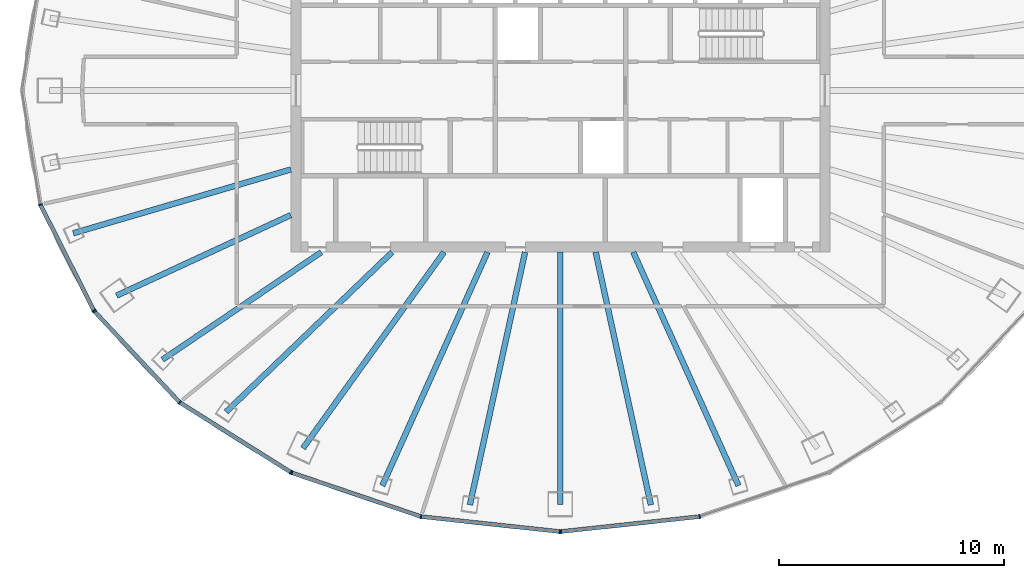
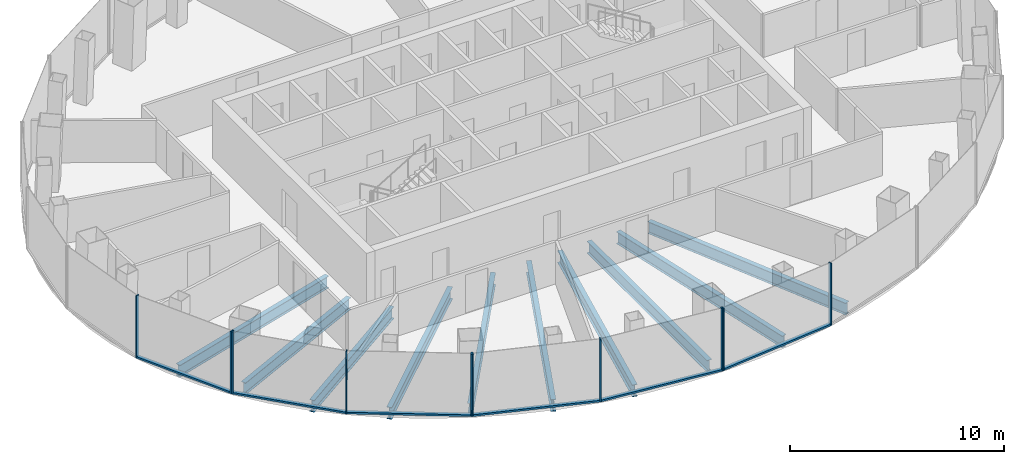
# One storey, part 2 of 10: 16 members, 10 beams, 4 elements without a shape of their own.
"""IFC4 building model written with IfcOpenShell, lengths in metres."""

from ifc_helpers import new_model, si_unit, direction, frame, origin, origin_2d, place, context, subcontext, project, spatial, rectangle, i_section, extrude, material, layer, layer_set, material_profile, profile_set, type_object, element, aggregate, save


model = new_model("IFC4")

# Units and contexts
model_context = context("Model", 3, precision=1e-05, world=origin(), true_north=direction((0.0, 1.0)))
body_context = subcontext(model_context, "Body", "Model", "MODEL_VIEW")
ifc_project = project(units=[si_unit("LENGTHUNIT", "METRE"), si_unit("AREAUNIT", "SQUARE_METRE"), si_unit("VOLUMEUNIT", "CUBIC_METRE"), si_unit("PLANEANGLEUNIT", "RADIAN"), si_unit("MASSUNIT", "GRAM", prefix="KILO")], contexts=[model_context])

# Site, building, storey
site_placement = place(None, origin())
site = spatial("IfcSite", under=ifc_project, at=site_placement, CompositionType="ELEMENT")
building_placement = place(site_placement, origin())
building = spatial("IfcBuilding", under=site, at=building_placement, Name="Siaravel Broadcast Tower", CompositionType="ELEMENT")
storey_placement = place(building_placement, frame((0.0, 0.0, 164.5)))
storey = spatial("IfcBuildingStorey", under=building, at=storey_placement, Name="L39", CompositionType="ELEMENT", Elevation=164.5)

# Beams
ifc_material_1 = material(Name="Steel S355", Category="steel")
ifc_material_profile_1 = material_profile(ifc_material_1, i_section(OverallWidth=0.2529296875, OverallDepth=0.677978515625, WebThickness=0.01171875, FlangeThickness=0.01611328125, FilletRadius=0.01513671875, at=origin_2d()))
ifc_profile_set_1 = profile_set([ifc_material_profile_1], Name="Steel S355")
beam_type = type_object("IfcBeamType", Name="BM-UB 686x254x125", PredefinedType="BEAM", material=ifc_profile_set_1)
beam_1_placement = place(storey_placement, frame((-21.679443359375, -6.3564453125, -0.489013671875), z_axis=(0.959600267, 0.28136689, 0.0), x_axis=(-0.28136689, 0.959600267, 0.0)))
element("IfcBeam", 1, at=beam_1_placement, inside=storey, type_object=beam_type, Name="Radial beam RB21", PredefinedType="BEAM", context=body_context, shape_type="SweptSolid", body=[
    extrude(i_section(OverallWidth=0.2529296875, OverallDepth=0.677978515625, WebThickness=0.01171875, FlangeThickness=0.01611328125, FilletRadius=0.01513671875, at=origin_2d()), origin(), (0.0, 0.0, 1.0), 10.0869140625),
])
beam_2_placement = place(storey_placement, frame((-19.754638671875, -9.1337890625, -0.489013671875), z_axis=(0.907674805, 0.419674218, 0.0), x_axis=(-0.419674218, 0.907674805, 0.0)))
element("IfcBeam", 2, at=beam_2_placement, inside=storey, type_object=beam_type, Name="Radial beam RB22", PredefinedType="BEAM", context=body_context, shape_type="SweptSolid", body=[
    extrude(i_section(OverallWidth=0.2529296875, OverallDepth=0.677978515625, WebThickness=0.01171875, FlangeThickness=0.01611328125, FilletRadius=0.01513671875, at=origin_2d()), origin(), (0.0, 0.0, 1.0), 8.54345703125),
])
beam_3_placement = place(storey_placement, frame((-17.71044921875, -11.984375, -0.489013671875), z_axis=(0.828198305, 0.560435159, 0.0), x_axis=(-0.560435159, 0.828198305, 0.0)))
element("IfcBeam", 3, at=beam_3_placement, inside=storey, type_object=beam_type, Name="Radial beam RB23", PredefinedType="BEAM", context=body_context, shape_type="SweptSolid", body=[
    extrude(i_section(OverallWidth=0.2529296875, OverallDepth=0.677978515625, WebThickness=0.01171875, FlangeThickness=0.01611328125, FilletRadius=0.01513671875, at=origin_2d()), origin(), (0.0, 0.0, 1.0), 8.536865234375),
])
beam_4_placement = place(storey_placement, frame((-14.876708984375, -14.305419921875, -0.489013671875), z_axis=(0.720808352, 0.693134417, 0.0), x_axis=(-0.693134417, 0.720808352, 0.0)))
element("IfcBeam", 4, at=beam_4_placement, inside=storey, type_object=beam_type, Name="Radial beam RB24", PredefinedType="BEAM", context=body_context, shape_type="SweptSolid", body=[
    extrude(i_section(OverallWidth=0.2529296875, OverallDepth=0.677978515625, WebThickness=0.01171875, FlangeThickness=0.01611328125, FilletRadius=0.01513671875, at=origin_2d()), origin(), (0.0, 0.0, 1.0), 10.251220703125),
])
beam_5_placement = place(storey_placement, frame((-11.4541015625, -15.92333984375, -0.489013671875), z_axis=(0.583940769, 0.811796266, 0.0), x_axis=(-0.811796266, 0.583940769, 0.0)))
element("IfcBeam", 5, at=beam_5_placement, inside=storey, type_object=beam_type, Name="Radial beam RB25", PredefinedType="BEAM", context=body_context, shape_type="SweptSolid", body=[
    extrude(i_section(OverallWidth=0.2529296875, OverallDepth=0.677978515625, WebThickness=0.01171875, FlangeThickness=0.01611328125, FilletRadius=0.01513671875, at=origin_2d()), origin(), (0.0, 0.0, 1.0), 10.745849609375),
])
beam_6_placement = place(storey_placement, frame((-7.92822265625, -17.590087890625, -0.489013671875), z_axis=(0.41091507, 0.911673629, 0.0), x_axis=(-0.911673629, 0.41091507, 0.0)))
element("IfcBeam", 6, at=beam_6_placement, inside=storey, type_object=beam_type, Name="Radial beam RB26", PredefinedType="BEAM", context=body_context, shape_type="SweptSolid", body=[
    extrude(i_section(OverallWidth=0.2529296875, OverallDepth=0.677978515625, WebThickness=0.01171875, FlangeThickness=0.01611328125, FilletRadius=0.01513671875, at=origin_2d()), origin(), (0.0, 0.0, 1.0), 11.396728515625),
])
beam_7_placement = place(storey_placement, frame((-4.02685546875, -18.4462890625, -0.489013671875), z_axis=(0.213277502, 0.976991662, 0.0), x_axis=(-0.976991662, 0.213277502, 0.0)))
element("IfcBeam", 7, at=beam_7_placement, inside=storey, type_object=beam_type, Name="Radial beam RB27", PredefinedType="BEAM", context=body_context, shape_type="SweptSolid", body=[
    extrude(i_section(OverallWidth=0.2529296875, OverallDepth=0.677978515625, WebThickness=0.01171875, FlangeThickness=0.01611328125, FilletRadius=0.01513671875, at=origin_2d()), origin(), (0.0, 0.0, 1.0), 11.51123046875),
])
beam_8_placement = place(storey_placement, frame((0.0, -18.434814453125, -0.489013671875), z_axis=(0.0, 1.0, 0.0), x_axis=(-1.0, 0.0, 0.0)))
element("IfcBeam", 8, at=beam_8_placement, inside=storey, type_object=beam_type, Name="Radial beam RB28", PredefinedType="BEAM", context=body_context, shape_type="SweptSolid", body=[
    extrude(i_section(OverallWidth=0.2529296875, OverallDepth=0.677978515625, WebThickness=0.01171875, FlangeThickness=0.01611328125, FilletRadius=0.01513671875, at=origin_2d()), origin(), (0.0, 0.0, 1.0), 11.23486328125),
])
beam_9_placement = place(storey_placement, frame((4.02685546875, -18.4462890625, -0.489013671875), z_axis=(-0.213277502, 0.976991662, 0.0), x_axis=(-0.976991662, -0.213277502, 0.0)))
element("IfcBeam", 9, at=beam_9_placement, inside=storey, type_object=beam_type, Name="Radial beam RB29", PredefinedType="BEAM", context=body_context, shape_type="SweptSolid", body=[
    extrude(i_section(OverallWidth=0.2529296875, OverallDepth=0.677978515625, WebThickness=0.01171875, FlangeThickness=0.01611328125, FilletRadius=0.01513671875, at=origin_2d()), origin(), (0.0, 0.0, 1.0), 11.51123046875),
])
beam_10_placement = place(storey_placement, frame((7.92822265625, -17.590087890625, -0.489013671875), z_axis=(-0.41091507, 0.911673629, 0.0), x_axis=(-0.911673629, -0.41091507, 0.0)))
element("IfcBeam", 10, at=beam_10_placement, inside=storey, type_object=beam_type, Name="Radial beam RB30", PredefinedType="BEAM", context=body_context, shape_type="SweptSolid", body=[
    extrude(i_section(OverallWidth=0.2529296875, OverallDepth=0.677978515625, WebThickness=0.01171875, FlangeThickness=0.01611328125, FilletRadius=0.01513671875, at=origin_2d()), origin(), (0.0, 0.0, 1.0), 11.396728515625),
])

# Curtain wall, members
ifc_material_2 = material(Name="Aluminium 6063-T6", Category="aluminium")
ifc_layer = layer(ifc_material_2, 0.179931640625)
ifc_layer_set = layer_set([ifc_layer], Name="Aluminium 6063-T6")
curtain_wall_type = type_object("IfcCurtainWallType", Name="Unitised curtain wall, zone 3", PredefinedType="NOTDEFINED", material=ifc_layer_set)
curtain_wall_1_placement = place(storey_placement, origin())
curtain_wall_1 = element("IfcCurtainWall", 11, at=curtain_wall_1_placement, inside=storey, type_object=curtain_wall_type, Name="L39 Unitised curtain wall, zone 3 07", PredefinedType="NOTDEFINED")
ifc_material_profile_2 = material_profile(ifc_material_2, rectangle(XDim=0.179931640625, YDim=0.06005859375, at=origin_2d()))
ifc_profile_set_2 = profile_set([ifc_material_profile_2], Name="Aluminium 6063-T6")
member_type_1 = type_object("IfcMemberType", Name="CW-Z3 mullion", PredefinedType="MULLION", material=ifc_profile_set_2)
member_1_placement = place(storey_placement, frame((-23.1455078125, -5.085205078125, 0.0), z_axis=(0.0, 0.0, 1.0), x_axis=(0.951177457, 0.30864453, 0.0)))
member_1 = element("IfcMember", 12, at=member_1_placement, type_object=member_type_1, Name="CW-Z3 mullion 2", PredefinedType="MULLION", context=body_context, shape_type="SweptSolid", body=[
    extrude(rectangle(XDim=0.179931640625, YDim=0.06005859375, at=origin_2d()), origin(), (0.0, 0.0, 1.0), 3.550048828125),
])
member_2_placement = place(storey_placement, frame((-20.763427734375, -9.795654296875, 0.0), z_axis=(0.0, 0.0, 1.0), x_axis=(0.89239259, 0.451259864, 0.0)))
member_2 = element("IfcMember", 13, at=member_2_placement, type_object=member_type_1, Name="CW-Z3 mullion 3", PredefinedType="MULLION", context=body_context, shape_type="SweptSolid", body=[
    extrude(rectangle(XDim=0.179931640625, YDim=0.06005859375, at=origin_2d()), origin(), (0.0, 0.0, 1.0), 3.550048828125),
])

curtain_wall_2_placement = place(storey_placement, origin())
curtain_wall_2 = element("IfcCurtainWall", 14, at=curtain_wall_2_placement, inside=storey, type_object=curtain_wall_type, Name="L39 Unitised curtain wall, zone 3 08", PredefinedType="NOTDEFINED")
member_3_placement = place(storey_placement, frame((-20.7294921875, -9.844482421875, 0.0), z_axis=(0.0, 0.0, 1.0), x_axis=(0.729806172, 0.683654117, 0.0)))
member_3 = element("IfcMember", 15, at=member_3_placement, type_object=member_type_1, Name="CW-Z3 mullion 1", PredefinedType="MULLION", context=body_context, shape_type="SweptSolid", body=[
    extrude(rectangle(XDim=0.179931640625, YDim=0.06005859375, at=origin_2d()), origin(), (0.0, 0.0, 1.0), 3.550048828125),
])
member_4_placement = place(storey_placement, frame((-16.940673828125, -13.888916015625, 0.0), z_axis=(0.0, 0.0, 1.0), x_axis=(0.63621963, 0.771507993, 0.0)))
member_4 = element("IfcMember", 16, at=member_4_placement, type_object=member_type_1, Name="CW-Z3 mullion 2", PredefinedType="MULLION", context=body_context, shape_type="SweptSolid", body=[
    extrude(rectangle(XDim=0.179931640625, YDim=0.06005859375, at=origin_2d()), origin(), (0.0, 0.0, 1.0), 3.550048828125),
])
member_5_placement = place(storey_placement, frame((-12.003173828125, -16.9921875, 0.0), z_axis=(0.0, 0.0, 1.0), x_axis=(0.532150259, 0.846649928, 0.0)))
member_5 = element("IfcMember", 17, at=member_5_placement, type_object=member_type_1, Name="CW-Z3 mullion 3", PredefinedType="MULLION", context=body_context, shape_type="SweptSolid", body=[
    extrude(rectangle(XDim=0.179931640625, YDim=0.06005859375, at=origin_2d()), origin(), (0.0, 0.0, 1.0), 3.550048828125),
])

curtain_wall_3_placement = place(storey_placement, origin())
curtain_wall_3 = element("IfcCurtainWall", 18, at=curtain_wall_3_placement, inside=storey, type_object=curtain_wall_type, Name="L39 Unitised curtain wall, zone 3 09", PredefinedType="NOTDEFINED")
member_6_placement = place(storey_placement, frame((-11.949462890625, -17.017822265625, 0.0), z_axis=(0.0, 0.0, 1.0), x_axis=(0.321301405, 0.946976983, 0.0)))
member_6 = element("IfcMember", 19, at=member_6_placement, type_object=member_type_1, Name="CW-Z3 mullion 1", PredefinedType="MULLION", context=body_context, shape_type="SweptSolid", body=[
    extrude(rectangle(XDim=0.179931640625, YDim=0.06005859375, at=origin_2d()), origin(), (0.0, 0.0, 1.0), 3.550048828125),
])
member_7_placement = place(storey_placement, frame((-6.19970703125, -18.96875, 0.0), z_axis=(0.0, 0.0, 1.0), x_axis=(0.215558612, 0.976490903, 0.0)))
member_7 = element("IfcMember", 20, at=member_7_placement, type_object=member_type_1, Name="CW-Z3 mullion 2", PredefinedType="MULLION", context=body_context, shape_type="SweptSolid", body=[
    extrude(rectangle(XDim=0.179931640625, YDim=0.06005859375, at=origin_2d()), origin(), (0.0, 0.0, 1.0), 3.550048828125),
])
member_8_placement = place(storey_placement, frame((-0.02978515625, -19.634033203125, 0.0), z_axis=(0.0, 0.0, 1.0), x_axis=(0.107217776, 0.99423556, 0.0)))
member_8 = element("IfcMember", 21, at=member_8_placement, type_object=member_type_1, Name="CW-Z3 mullion 3", PredefinedType="MULLION", context=body_context, shape_type="SweptSolid", body=[
    extrude(rectangle(XDim=0.179931640625, YDim=0.06005859375, at=origin_2d()), origin(), (0.0, 0.0, 1.0), 3.550048828125),
])

curtain_wall_4_placement = place(storey_placement, origin())
curtain_wall_4 = element("IfcCurtainWall", 22, at=curtain_wall_4_placement, inside=storey, type_object=curtain_wall_type, Name="L39 Unitised curtain wall, zone 3 10", PredefinedType="NOTDEFINED")
member_9_placement = place(storey_placement, frame((0.02978515625, -19.634033203125, 0.0), z_axis=(0.0, 0.0, 1.0), x_axis=(-0.107217776, 0.99423556, 0.0)))
member_9 = element("IfcMember", 23, at=member_9_placement, type_object=member_type_1, Name="CW-Z3 mullion 1", PredefinedType="MULLION", context=body_context, shape_type="SweptSolid", body=[
    extrude(rectangle(XDim=0.179931640625, YDim=0.06005859375, at=origin_2d()), origin(), (0.0, 0.0, 1.0), 3.550048828125),
])
member_10_placement = place(storey_placement, frame((6.19970703125, -18.96875, 0.0), z_axis=(0.0, 0.0, 1.0), x_axis=(-0.215558612, 0.976490903, 0.0)))
member_10 = element("IfcMember", 24, at=member_10_placement, type_object=member_type_1, Name="CW-Z3 mullion 2", PredefinedType="MULLION", context=body_context, shape_type="SweptSolid", body=[
    extrude(rectangle(XDim=0.179931640625, YDim=0.06005859375, at=origin_2d()), origin(), (0.0, 0.0, 1.0), 3.550048828125),
])

# Member
ifc_material_profile_3 = material_profile(ifc_material_2, rectangle(XDim=0.179931640625, YDim=0.10009765625, at=origin_2d()))
ifc_profile_set_3 = profile_set([ifc_material_profile_3], Name="Aluminium 6063-T6")
member_type_2 = type_object("IfcMemberType", Name="CW-Z3 transom", PredefinedType="USERDEFINED", material=ifc_profile_set_3)
member_11_placement = place(storey_placement, frame((-23.132080078125, -5.11181640625, 0.050048828125), z_axis=(0.451269759, -0.892387586, 0.0), x_axis=(0.892387586, 0.451269759, 0.0)))
member_11 = element("IfcMember", 25, at=member_11_placement, type_object=member_type_2, Name="CW-Z3 transom 2", ObjectType="TRANSOM", PredefinedType="USERDEFINED", context=body_context, shape_type="SweptSolid", body=[
    extrude(rectangle(XDim=0.179931640625, YDim=0.10009765625, at=origin_2d()), origin(), (0.0, 0.0, 1.0), 5.218505859375),
])

aggregate(curtain_wall_1, [member_1, member_2, member_11])

member_12_placement = place(storey_placement, frame((-20.708984375, -9.8662109375, 0.050048828125), z_axis=(0.68363887, -0.729820454, 0.0), x_axis=(0.729820454, 0.68363887, 0.0)))
member_12 = element("IfcMember", 26, at=member_12_placement, type_object=member_type_2, Name="CW-Z3 transom 1", ObjectType="TRANSOM", PredefinedType="USERDEFINED", context=body_context, shape_type="SweptSolid", body=[
    extrude(rectangle(XDim=0.179931640625, YDim=0.10009765625, at=origin_2d()), origin(), (0.0, 0.0, 1.0), 5.482177734375),
])

member_13_placement = place(storey_placement, frame((-16.915283203125, -13.905029296875, 0.050048828125), z_axis=(0.846664863, -0.532126498, 0.0), x_axis=(0.532126498, 0.846664863, 0.0)))
member_13 = element("IfcMember", 27, at=member_13_placement, type_object=member_type_2, Name="CW-Z3 transom 2", ObjectType="TRANSOM", PredefinedType="USERDEFINED", context=body_context, shape_type="SweptSolid", body=[
    extrude(rectangle(XDim=0.179931640625, YDim=0.10009765625, at=origin_2d()), origin(), (0.0, 0.0, 1.0), 5.771728515625),
])

aggregate(curtain_wall_2, [member_3, member_4, member_5, member_12, member_13])

member_14_placement = place(storey_placement, frame((-11.9208984375, -17.027587890625, 0.050048828125), z_axis=(0.946980245, -0.321291792, 0.0), x_axis=(0.321291792, 0.946980245, 0.0)))
member_14 = element("IfcMember", 28, at=member_14_placement, type_object=member_type_2, Name="CW-Z3 transom 1", ObjectType="TRANSOM", PredefinedType="USERDEFINED", context=body_context, shape_type="SweptSolid", body=[
    extrude(rectangle(XDim=0.179931640625, YDim=0.10009765625, at=origin_2d()), origin(), (0.0, 0.0, 1.0), 6.01123046875),
])

member_15_placement = place(storey_placement, frame((-6.169921875, -18.971923828125, 0.050048828125), z_axis=(0.994235123, -0.107221824, 0.0), x_axis=(0.107221824, 0.994235123, 0.0)))
member_15 = element("IfcMember", 29, at=member_15_placement, type_object=member_type_2, Name="CW-Z3 transom 2", ObjectType="TRANSOM", PredefinedType="USERDEFINED", context=body_context, shape_type="SweptSolid", body=[
    extrude(rectangle(XDim=0.179931640625, YDim=0.10009765625, at=origin_2d()), origin(), (0.0, 0.0, 1.0), 6.1455078125),
])

aggregate(curtain_wall_3, [member_6, member_7, member_8, member_14, member_15])

member_16_placement = place(storey_placement, frame((0.059814453125, -19.630859375, 0.050048828125), z_axis=(0.994235123, 0.107221824, 0.0), x_axis=(-0.107221824, 0.994235123, 0.0)))
member_16 = element("IfcMember", 30, at=member_16_placement, type_object=member_type_2, Name="CW-Z3 transom 1", ObjectType="TRANSOM", PredefinedType="USERDEFINED", context=body_context, shape_type="SweptSolid", body=[
    extrude(rectangle(XDim=0.179931640625, YDim=0.10009765625, at=origin_2d()), origin(), (0.0, 0.0, 1.0), 6.1455078125),
])

aggregate(curtain_wall_4, [member_9, member_10, member_16])

save(model, "model.ifc")
